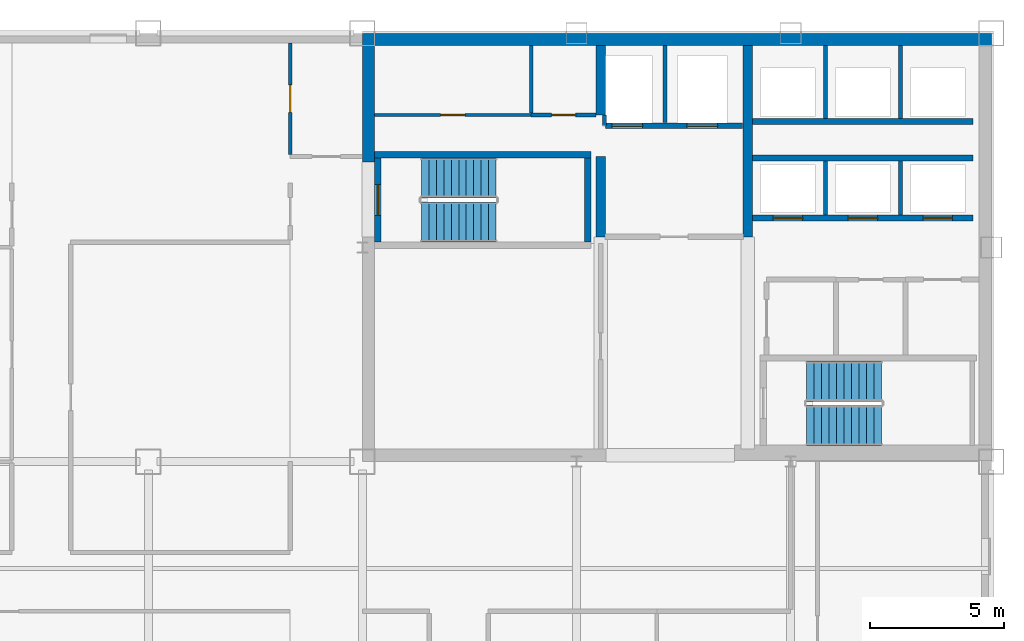
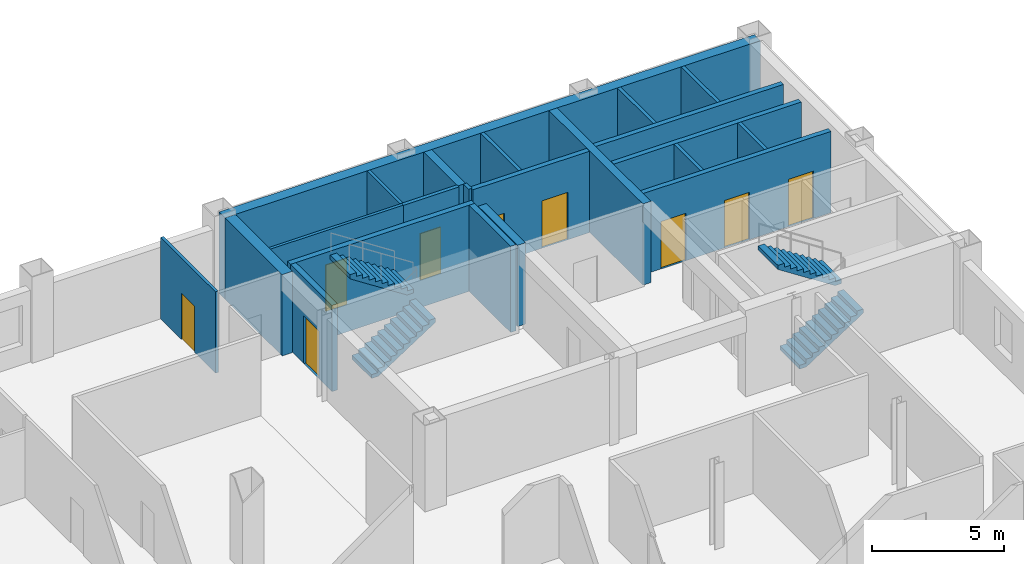
# One storey, part 6 of 10: 22 walls, 9 doors, 4 stair flights, 9 openings, 2 elements without a shape of their own.
"""IFC4 building model written with IfcOpenShell, lengths in metres."""

from ifc_helpers import new_model, si_unit, direction, frame, frame_2d, origin, place, context, subcontext, project, spatial, polyline, rectangle, outline, extrude, material, layer, layer_set, type_object, element, fill, aggregate, save


model = new_model("IFC4")

# Units and contexts
model_context = context("Model", 3, precision=1e-05, world=origin(), true_north=direction((0.0, 1.0)))
body_context = subcontext(model_context, "Body", "Model", "MODEL_VIEW")
ifc_project = project(units=[si_unit("LENGTHUNIT", "METRE"), si_unit("AREAUNIT", "SQUARE_METRE"), si_unit("VOLUMEUNIT", "CUBIC_METRE"), si_unit("PLANEANGLEUNIT", "RADIAN"), si_unit("MASSUNIT", "GRAM", prefix="KILO")], contexts=[model_context])

# Site, building, storey
site_placement = place(None, origin())
site = spatial("IfcSite", under=ifc_project, at=site_placement, CompositionType="ELEMENT")
building_placement = place(site_placement, origin())
building = spatial("IfcBuilding", under=site, at=building_placement, Name="Qianrong Seaharbour Tower", CompositionType="ELEMENT")
storey_placement = place(building_placement, frame((0.0, 0.0, 241.800048828125)))
storey = spatial("IfcBuildingStorey", under=building, at=storey_placement, Name="L58", CompositionType="ELEMENT", Elevation=241.800048828125)

# Walls
ifc_material_1 = material(Name="Concrete C60/75", Category="concrete")
ifc_layer_1 = layer(ifc_material_1, 0.4599609375)
ifc_layer_set_1 = layer_set([ifc_layer_1], Name="Concrete C60/75")
wall_type_1 = type_object("IfcWallType", Name="WALL-CORE-460", PredefinedType="SHEAR", material=ifc_layer_set_1)
wall_1_placement = place(storey_placement, frame((40.5, 51.77001953125, 0.0), z_axis=(0.0, 0.0, 1.0), x_axis=(1.0, 0.0, 0.0)))
element("IfcWall", 1, at=wall_1_placement, inside=storey, type_object=wall_type_1, Name="L58 North Core Shear Wall", PredefinedType="SHEAR", context=body_context, shape_type="SweptSolid", body=[
    extrude(rectangle(XDim=23.5, YDim=0.4599609375, at=frame_2d((11.75, 0.0))), origin(), (0.0, 0.0, 1.0), 3.77490234375),
])
wall_2_placement = place(storey_placement, frame((40.72998046875, 47.199951171875, 0.0), z_axis=(0.0, 0.0, 1.0), x_axis=(0.0, 1.0, 0.0)))
element("IfcWall", 2, at=wall_2_placement, inside=storey, type_object=wall_type_1, Name="L58 West Core Shear Wall North", PredefinedType="SHEAR", context=body_context, shape_type="SweptSolid", body=[
    extrude(rectangle(XDim=4.340087890625, YDim=0.4599609375, at=frame_2d((2.169921875, 0.0))), origin(), (0.0, 0.0, 1.0), 3.77490234375),
])
ifc_material_2 = material(Name="Concrete C50/60", Category="concrete")
ifc_layer_2 = layer(ifc_material_2, 0.35009765625)
ifc_layer_set_2 = layer_set([ifc_layer_2], Name="Concrete C50/60")
wall_type_2 = type_object("IfcWallType", Name="WALL-CORE-INT-350", PredefinedType="SHEAR", material=ifc_layer_set_2)
wall_3_placement = place(storey_placement, frame((49.39990234375, 44.39990234375, 0.0), z_axis=(0.0, 0.0, 1.0), x_axis=(0.0, 1.0, 0.0)))
element("IfcWall", 3, at=wall_3_placement, inside=storey, type_object=wall_type_2, Name="L58 Internal Core Shear Wall IW1N1", PredefinedType="SHEAR", context=body_context, shape_type="SweptSolid", body=[
    extrude(rectangle(XDim=3.0, YDim=0.35009765625, at=frame_2d((1.5, 0.0))), origin(), (0.0, 0.0, 1.0), 3.77490234375),
])
wall_4_placement = place(storey_placement, frame((49.39990234375, 48.949951171875, 0.0), z_axis=(0.0, 0.0, 1.0), x_axis=(0.0, 1.0, 0.0)))
element("IfcWall", 4, at=wall_4_placement, inside=storey, type_object=wall_type_2, Name="L58 Internal Core Shear Wall IW1N2", PredefinedType="SHEAR", context=body_context, shape_type="SweptSolid", body=[
    extrude(rectangle(XDim=2.590087890625, YDim=0.35009765625, at=frame_2d((1.294921875, 0.0))), origin(), (0.0, 0.0, 1.0), 3.77490234375),
])
wall_5_placement = place(storey_placement, frame((54.89990234375, 44.39990234375, 0.0), z_axis=(0.0, 0.0, 1.0), x_axis=(0.0, 1.0, 0.0)))
element("IfcWall", 5, at=wall_5_placement, inside=storey, type_object=wall_type_2, Name="L58 Internal Core Shear Wall IW2N", PredefinedType="SHEAR", context=body_context, shape_type="SweptSolid", body=[
    extrude(rectangle(XDim=7.14013671875, YDim=0.35009765625, at=frame_2d((3.570068359375, 0.0))), origin(), (0.0, 0.0, 1.0), 3.77490234375),
])

# Wall, opening, door
ifc_material_3 = material(Name="Fire-rated acoustic gypsum board partition")
ifc_layer_3 = layer(ifc_material_3, 0.1650390625)
ifc_layer_set_3 = layer_set([ifc_layer_3], Name="Fire-rated acoustic gypsum board partition")
wall_type_3 = type_object("IfcWallType", Name="WALL-CORR-PART-165", PredefinedType="PARTITIONING", material=ifc_layer_set_3)
wall_6_placement = place(storey_placement, frame((46.800048828125, 48.949951171875, 0.0), z_axis=(0.0, 0.0, 1.0), x_axis=(1.0, 0.0, 0.0)))
wall_6 = element("IfcWall", 6, at=wall_6_placement, inside=storey, type_object=wall_type_3, Name="L58 Interior Partition Wall 005", PredefinedType="PARTITIONING", context=body_context, shape_type="SweptSolid", body=[
    extrude(rectangle(XDim=2.432861328125, YDim=0.1650390625, at=frame_2d((1.21630859375, 0.0))), origin(), (0.0, 0.0, 1.0), 3.77490234375),
])
opening_1_placement = place(wall_6_placement, frame((0.7666015625, 0.0, 0.0)))
opening_1 = element("IfcOpeningElement", 7, at=opening_1_placement, cuts=wall_6, Name="Opening DS-01", PredefinedType="OPENING", context=body_context, shape_type="SweptSolid", body=[
    extrude(rectangle(XDim=0.89990234375, YDim=2.14990234375, at=frame_2d((0.449951171875, 1.074951171875))), frame((0.0, 0.092529296875, 0.0), z_axis=(0.0, -1.0, 0.0), x_axis=(1.0, 0.0, 0.0)), (0.0, 0.0, 1.0), 0.18505859375),
])
ifc_material_4 = material(Name="Acoustic timber and galvanized steel fire door assembly", Category="steel")
door_type_1 = type_object("IfcDoorType", Name="DOOR-STORE-900x2150", OperationType="NOTDEFINED", PredefinedType="DOOR", material=ifc_material_4)
door_1_placement = place(opening_1_placement, origin())
door_1 = element("IfcDoor", 8, at=door_1_placement, inside=storey, type_object=door_type_1, Name="L58 Janitor Store Room Door", OperationType="SINGLE_SWING_LEFT", OverallHeight=2.14990234375, OverallWidth=0.89990234375, PredefinedType="DOOR", context=body_context, shape_type="SweptSolid", body=[
    extrude(rectangle(XDim=0.89990234375, YDim=2.14990234375, at=frame_2d((0.449951171875, 1.074951171875))), frame((0.0, 0.02490234375, 0.0), z_axis=(0.0, -1.0, 0.0), x_axis=(1.0, 0.0, 0.0)), (0.0, 0.0, 1.0), 0.050048828125),
])
fill(opening_1, door_1)

# Walls
ifc_material_5 = material(Name="Fire-rated gypsum board on steel studs", Category="steel")
ifc_layer_4 = layer(ifc_material_5, 0.14990234375)
ifc_layer_set_4 = layer_set([ifc_layer_4], Name="Fire-rated gypsum board on steel studs")
wall_type_4 = type_object("IfcWallType", Name="WALL-SHAFT-DIV-150", PredefinedType="PARTITIONING", material=ifc_layer_set_4)
wall_7_placement = place(storey_placement, frame((51.800048828125, 48.669921875, 0.0), z_axis=(0.0, 0.0, 1.0), x_axis=(0.0, 1.0, 0.0)))
element("IfcWall", 9, at=wall_7_placement, inside=storey, type_object=wall_type_4, Name="L58 Firefighting Lift Shaft Divider Wall", PredefinedType="PARTITIONING", context=body_context, shape_type="SweptSolid", body=[
    extrude(rectangle(XDim=2.8701171875, YDim=0.14990234375, at=frame_2d((1.43505859375, 0.0))), origin(), (0.0, 0.0, 1.0), 3.77490234375),
])
wall_8_placement = place(storey_placement, frame((49.550048828125, 48.550048828125, 0.0), z_axis=(0.0, 0.0, 1.0), x_axis=(0.0, 1.0, 0.0)))
element("IfcWall", 10, at=wall_8_placement, inside=storey, type_object=wall_type_4, Name="L58 Firefighting Lift Shaft West Return Wall", PredefinedType="PARTITIONING", context=body_context, shape_type="SweptSolid", body=[
    extrude(rectangle(XDim=0.39990234375, YDim=0.14990234375, at=frame_2d((0.199951171875, 0.0))), origin(), (0.0, 0.0, 1.0), 3.77490234375),
])
for number, where, z_axis, x_axis, name in (
    (11, (57.800048828125, 45.2099609375, 0.0), (0.0, 0.0, 1.0), (0.0, 1.0, 0.0), "L58 P3 Lift Hoistway Divider 2"),
    (12, (60.60009765625, 45.2099609375, 0.0), (0.0, 0.0, 1.0), (0.0, 1.0, 0.0), "L58 P3 Lift Hoistway Divider 3"),
):
    element("IfcWall", number, at=place(storey_placement, frame(where, z_axis=z_axis, x_axis=x_axis)), inside=storey, type_object=wall_type_4, Name=name, PredefinedType="PARTITIONING", context=body_context, shape_type="SweptSolid", body=[
        extrude(rectangle(XDim=2.030029296875, YDim=0.14990234375, at=frame_2d((1.01513671875, 0.0))), origin(), (0.0, 0.0, 1.0), 3.77490234375),
    ])
for number, where, z_axis, x_axis, name in (
    (13, (57.800048828125, 48.81005859375, 0.0), (0.0, 0.0, 1.0), (0.0, 1.0, 0.0), "L58 P4 Lift Hoistway Divider 2"),
    (14, (60.60009765625, 48.81005859375, 0.0), (0.0, 0.0, 1.0), (0.0, 1.0, 0.0), "L58 P4 Lift Hoistway Divider 3"),
):
    element("IfcWall", number, at=place(storey_placement, frame(where, z_axis=z_axis, x_axis=x_axis)), inside=storey, type_object=wall_type_4, Name=name, PredefinedType="PARTITIONING", context=body_context, shape_type="SweptSolid", body=[
        extrude(rectangle(XDim=2.72998046875, YDim=0.14990234375, at=frame_2d((1.364990234375, 0.0))), origin(), (0.0, 0.0, 1.0), 3.77490234375),
    ])

# Wall, openings, doors
ifc_layer_5 = layer(ifc_material_5, 0.219970703125)
ifc_layer_set_5 = layer_set([ifc_layer_5], Name="Fire-rated gypsum board on steel studs")
wall_type_5 = type_object("IfcWallType", Name="WALL-SHAFT-GYP220", PredefinedType="PARTITIONING", material=ifc_layer_set_5)
wall_9_placement = place(storey_placement, frame((54.7099609375, 48.550048828125, 0.0), z_axis=(0.0, 0.0, 1.0), x_axis=(-1.0, 0.0, 0.0)))
wall_9 = element("IfcWall", 15, at=wall_9_placement, inside=storey, type_object=wall_type_5, Name="L58 Firefighting Lift Shaft Front Wall", PredefinedType="PARTITIONING", context=body_context, shape_type="SweptSolid", body=[
    extrude(rectangle(XDim=5.119873046875, YDim=0.219970703125, at=frame_2d((2.56005859375, 0.0))), origin(), (0.0, 0.0, 1.0), 3.77490234375),
])
opening_2_placement = place(wall_9_placement, frame((3.735107421875, 0.0, 0.0)))
opening_2 = element("IfcOpeningElement", 16, at=opening_2_placement, cuts=wall_9, Name="Opening LD-01", PredefinedType="OPENING", context=body_context, shape_type="SweptSolid", body=[
    extrude(rectangle(XDim=1.14990234375, YDim=2.199951171875, at=frame_2d((0.574951171875, 1.10009765625))), frame((0.0, 0.1201171875, 0.0), z_axis=(0.0, -1.0, 0.0), x_axis=(1.0, 0.0, 0.0)), (0.0, 0.0, 1.0), 0.239990234375),
])
opening_3_placement = place(wall_9_placement, frame((0.93505859375, 0.0, 0.0)))
opening_3 = element("IfcOpeningElement", 17, at=opening_3_placement, cuts=wall_9, Name="Opening LD-01", PredefinedType="OPENING", context=body_context, shape_type="SweptSolid", body=[
    extrude(rectangle(XDim=1.14990234375, YDim=2.199951171875, at=frame_2d((0.574951171875, 1.10009765625))), frame((0.0, 0.1201171875, 0.0), z_axis=(0.0, -1.0, 0.0), x_axis=(1.0, 0.0, 0.0)), (0.0, 0.0, 1.0), 0.239990234375),
])
ifc_material_6 = material(Name="Stainless steel SUS316L bi-parting lift landing door", Category="steel")
door_type_2 = type_object("IfcDoorType", Name="DOOR-LIFT-FF-1150x2200", OperationType="DOUBLE_DOOR_SLIDING", PredefinedType="DOOR", material=ifc_material_6)
door_2_placement = place(opening_2_placement, origin())
door_2 = element("IfcDoor", 18, at=door_2_placement, inside=storey, type_object=door_type_2, Name="L58 FL-1 Firefighting Lift Landing Door", OperationType="DOUBLE_DOOR_SLIDING", OverallHeight=2.199951171875, OverallWidth=1.14990234375, PredefinedType="DOOR", context=body_context, shape_type="SweptSolid", body=[
    extrude(rectangle(XDim=1.14990234375, YDim=2.199951171875, at=frame_2d((0.574951171875, 1.10009765625))), frame((0.0, 0.02490234375, 0.0), z_axis=(0.0, -1.0, 0.0), x_axis=(1.0, 0.0, 0.0)), (0.0, 0.0, 1.0), 0.050048828125),
])
fill(opening_2, door_2)
door_3_placement = place(opening_3_placement, origin())
door_3 = element("IfcDoor", 19, at=door_3_placement, inside=storey, type_object=door_type_2, Name="L58 FL-2 Firefighting Lift Landing Door", OperationType="DOUBLE_DOOR_SLIDING", OverallHeight=2.199951171875, OverallWidth=1.14990234375, PredefinedType="DOOR", context=body_context, shape_type="SweptSolid", body=[
    extrude(rectangle(XDim=1.14990234375, YDim=2.199951171875, at=frame_2d((0.574951171875, 1.10009765625))), frame((0.0, 0.02490234375, 0.0), z_axis=(0.0, -1.0, 0.0), x_axis=(1.0, 0.0, 0.0)), (0.0, 0.0, 1.0), 0.050048828125),
])
fill(opening_3, door_3)

wall_10_placement = place(storey_placement, frame((63.320068359375, 45.10009765625, 0.0), z_axis=(0.0, 0.0, 1.0), x_axis=(-1.0, 0.0, 0.0)))
wall_10 = element("IfcWall", 20, at=wall_10_placement, inside=storey, type_object=wall_type_5, Name="L58 P3 Lift Hoistway Front Wall", PredefinedType="PARTITIONING", context=body_context, shape_type="SweptSolid", body=[
    extrude(rectangle(XDim=8.239990234375, YDim=0.219970703125, at=frame_2d((4.1201171875, 0.0))), origin(), (0.0, 0.0, 1.0), 3.77490234375),
])
opening_4_placement = place(wall_10_placement, frame((6.3701171875, 0.0, 0.0)))
opening_4 = element("IfcOpeningElement", 21, at=opening_4_placement, cuts=wall_10, Name="Opening LD-02", PredefinedType="OPENING", context=body_context, shape_type="SweptSolid", body=[
    extrude(rectangle(XDim=1.10009765625, YDim=2.199951171875, at=frame_2d((0.550048828125, 1.10009765625))), frame((0.0, 0.1201171875, 0.0), z_axis=(0.0, -1.0, 0.0), x_axis=(1.0, 0.0, 0.0)), (0.0, 0.0, 1.0), 0.239990234375),
])
opening_5_placement = place(wall_10_placement, frame((3.570068359375, 0.0, 0.0)))
opening_5 = element("IfcOpeningElement", 22, at=opening_5_placement, cuts=wall_10, Name="Opening LD-02", PredefinedType="OPENING", context=body_context, shape_type="SweptSolid", body=[
    extrude(rectangle(XDim=1.10009765625, YDim=2.199951171875, at=frame_2d((0.550048828125, 1.10009765625))), frame((0.0, 0.1201171875, 0.0), z_axis=(0.0, -1.0, 0.0), x_axis=(1.0, 0.0, 0.0)), (0.0, 0.0, 1.0), 0.239990234375),
])
opening_6_placement = place(wall_10_placement, frame((0.77001953125, 0.0, 0.0)))
opening_6 = element("IfcOpeningElement", 23, at=opening_6_placement, cuts=wall_10, Name="Opening LD-02", PredefinedType="OPENING", context=body_context, shape_type="SweptSolid", body=[
    extrude(rectangle(XDim=1.10009765625, YDim=2.199951171875, at=frame_2d((0.550048828125, 1.10009765625))), frame((0.0, 0.1201171875, 0.0), z_axis=(0.0, -1.0, 0.0), x_axis=(1.0, 0.0, 0.0)), (0.0, 0.0, 1.0), 0.239990234375),
])
door_type_3 = type_object("IfcDoorType", Name="DOOR-LIFT-PASS-1100x2200", OperationType="DOUBLE_DOOR_SLIDING", PredefinedType="DOOR", material=ifc_material_6)
door_4_placement = place(opening_4_placement, origin())
door_4 = element("IfcDoor", 24, at=door_4_placement, inside=storey, type_object=door_type_3, Name="L58 PL-3A Lift Landing Door", OperationType="DOUBLE_DOOR_SLIDING", OverallHeight=2.199951171875, OverallWidth=1.10009765625, PredefinedType="DOOR", context=body_context, shape_type="SweptSolid", body=[
    extrude(rectangle(XDim=1.10009765625, YDim=2.199951171875, at=frame_2d((0.550048828125, 1.10009765625))), frame((0.0, 0.02490234375, 0.0), z_axis=(0.0, -1.0, 0.0), x_axis=(1.0, 0.0, 0.0)), (0.0, 0.0, 1.0), 0.050048828125),
])
fill(opening_4, door_4)
door_5_placement = place(opening_5_placement, origin())
door_5 = element("IfcDoor", 25, at=door_5_placement, inside=storey, type_object=door_type_3, Name="L58 PL-3B Lift Landing Door", OperationType="DOUBLE_DOOR_SLIDING", OverallHeight=2.199951171875, OverallWidth=1.10009765625, PredefinedType="DOOR", context=body_context, shape_type="SweptSolid", body=[
    extrude(rectangle(XDim=1.10009765625, YDim=2.199951171875, at=frame_2d((0.550048828125, 1.10009765625))), frame((0.0, 0.02490234375, 0.0), z_axis=(0.0, -1.0, 0.0), x_axis=(1.0, 0.0, 0.0)), (0.0, 0.0, 1.0), 0.050048828125),
])
fill(opening_5, door_5)
door_6_placement = place(opening_6_placement, origin())
door_6 = element("IfcDoor", 26, at=door_6_placement, inside=storey, type_object=door_type_3, Name="L58 PL-3C Lift Landing Door", OperationType="DOUBLE_DOOR_SLIDING", OverallHeight=2.199951171875, OverallWidth=1.10009765625, PredefinedType="DOOR", context=body_context, shape_type="SweptSolid", body=[
    extrude(rectangle(XDim=1.10009765625, YDim=2.199951171875, at=frame_2d((0.550048828125, 1.10009765625))), frame((0.0, 0.02490234375, 0.0), z_axis=(0.0, -1.0, 0.0), x_axis=(1.0, 0.0, 0.0)), (0.0, 0.0, 1.0), 0.050048828125),
])
fill(opening_6, door_6)

# Walls
for number, where, z_axis, x_axis, name in (
    (27, (55.080078125, 47.35009765625, 0.0), (0.0, 0.0, 1.0), (1.0, 0.0, 0.0), "L58 P3 Lift Hoistway Back Wall"),
    (28, (63.320068359375, 48.699951171875, 0.0), (0.0, 0.0, 1.0), (-1.0, 0.0, 0.0), "L58 P4 Lift Hoistway Front Wall"),
):
    element("IfcWall", number, at=place(storey_placement, frame(where, z_axis=z_axis, x_axis=x_axis)), inside=storey, type_object=wall_type_5, Name=name, PredefinedType="PARTITIONING", context=body_context, shape_type="SweptSolid", body=[
        extrude(rectangle(XDim=8.239990234375, YDim=0.219970703125, at=frame_2d((4.1201171875, 0.0))), origin(), (0.0, 0.0, 1.0), 3.77490234375),
    ])
ifc_layer_6 = layer(ifc_material_2, 0.239990234375)
ifc_layer_set_6 = layer_set([ifc_layer_6], Name="Concrete C50/60")
wall_type_6 = type_object("IfcWallType", Name="WALL-SHAFT-RC240", PredefinedType="SOLIDWALL", material=ifc_layer_set_6)
wall_11_placement = place(storey_placement, frame((40.9599609375, 47.469970703125, 0.0), z_axis=(0.0, 0.0, 1.0), x_axis=(1.0, 0.0, 0.0)))
element("IfcWall", 29, at=wall_11_placement, inside=storey, type_object=wall_type_6, Name="L58 ST-1 Structural Stair Core Wall N", PredefinedType="SOLIDWALL", context=body_context, shape_type="SweptSolid", body=[
    extrude(rectangle(XDim=8.080078125, YDim=0.239990234375, at=frame_2d((4.0400390625, 0.0))), origin(), (0.0, 0.0, 1.0), 4.0),
])

# Wall, opening, door
wall_12_placement = place(storey_placement, frame((41.080078125, 47.35009765625, 0.0), z_axis=(0.0, 0.0, 1.0), x_axis=(0.0, -1.0, 0.0)))
wall_12 = element("IfcWall", 30, at=wall_12_placement, inside=storey, type_object=wall_type_6, Name="L58 ST-1 Structural Stair Core Wall W", PredefinedType="SOLIDWALL", context=body_context, shape_type="SweptSolid", body=[
    extrude(rectangle(XDim=3.150146484375, YDim=0.239990234375, at=frame_2d((1.5751953125, 0.0))), origin(), (0.0, 0.0, 1.0), 4.0),
])
opening_7_placement = place(wall_12_placement, frame((1.0, 0.0, 0.0)))
opening_7 = element("IfcOpeningElement", 31, at=opening_7_placement, cuts=wall_12, Name="Opening SD-01", PredefinedType="OPENING", context=body_context, shape_type="SweptSolid", body=[
    extrude(rectangle(XDim=1.14990234375, YDim=2.199951171875, at=frame_2d((0.574951171875, 1.10009765625))), frame((0.0, 0.1298828125, 0.0), z_axis=(0.0, -1.0, 0.0), x_axis=(1.0, 0.0, 0.0)), (0.0, 0.0, 1.0), 0.260009765625),
])
door_type_4 = type_object("IfcDoorType", Name="DOOR-STAIR-FD60-1150x2200", OperationType="NOTDEFINED", PredefinedType="DOOR", material=ifc_material_4)
door_7_placement = place(opening_7_placement, origin())
door_7 = element("IfcDoor", 32, at=door_7_placement, inside=storey, type_object=door_type_4, Name="L58 ST-1 Protected Stair Door", OperationType="SINGLE_SWING_LEFT", OverallHeight=2.199951171875, OverallWidth=1.14990234375, PredefinedType="DOOR", context=body_context, shape_type="SweptSolid", body=[
    extrude(rectangle(XDim=1.14990234375, YDim=2.199951171875, at=frame_2d((0.574951171875, 1.10009765625))), frame((0.0, 0.02490234375, 0.0), z_axis=(0.0, -1.0, 0.0), x_axis=(1.0, 0.0, 0.0)), (0.0, 0.0, 1.0), 0.050048828125),
])
fill(opening_7, door_7)

# Wall
wall_13_placement = place(storey_placement, frame((48.919921875, 44.199951171875, 0.0), z_axis=(0.0, 0.0, 1.0), x_axis=(0.0, 1.0, 0.0)))
element("IfcWall", 33, at=wall_13_placement, inside=storey, type_object=wall_type_6, Name="L58 ST-1 Structural Stair Core Wall E", PredefinedType="SOLIDWALL", context=body_context, shape_type="SweptSolid", body=[
    extrude(rectangle(XDim=3.150146484375, YDim=0.239990234375, at=frame_2d((1.5751953125, 0.0))), origin(), (0.0, 0.0, 1.0), 4.0),
])

# Wall, opening, door
ifc_material_7 = material(Name="Water-resistant cement board sanitary partition")
ifc_layer_7 = layer(ifc_material_7, 0.1298828125)
ifc_layer_set_7 = layer_set([ifc_layer_7], Name="Water-resistant cement board sanitary partition")
wall_type_7 = type_object("IfcWallType", Name="WALL-WET-PART-130", PredefinedType="PARTITIONING", material=ifc_layer_set_7)
wall_14_placement = place(storey_placement, frame((37.800048828125, 47.474609375, 0.0), z_axis=(0.0, 0.0, 1.0), x_axis=(0.0, 1.0, 0.0)))
wall_14 = element("IfcWall", 34, at=wall_14_placement, inside=storey, type_object=wall_type_7, Name="L58 Interior Partition Wall 003", PredefinedType="PARTITIONING", context=body_context, shape_type="SweptSolid", body=[
    extrude(rectangle(XDim=4.17333984375, YDim=0.1298828125, at=frame_2d((2.086669921875, 0.0))), origin(), (0.0, 0.0, 1.0), 3.77490234375),
])
opening_8_placement = place(wall_14_placement, frame((1.57666015625, 0.0, 0.0)))
opening_8 = element("IfcOpeningElement", 35, at=opening_8_placement, cuts=wall_14, Name="Opening DAW-01", PredefinedType="OPENING", context=body_context, shape_type="SweptSolid", body=[
    extrude(rectangle(XDim=1.02001953125, YDim=2.14990234375, at=frame_2d((0.510009765625, 1.074951171875))), frame((0.0, 0.074951171875, 0.0), z_axis=(0.0, -1.0, 0.0), x_axis=(1.0, 0.0, 0.0)), (0.0, 0.0, 1.0), 0.14990234375),
])
door_type_5 = type_object("IfcDoorType", Name="DOOR-AWC-SLIDE-1020x2150", OperationType="SLIDING_TO_LEFT", PredefinedType="DOOR", material=ifc_material_4)
door_8_placement = place(opening_8_placement, origin())
door_8 = element("IfcDoor", 36, at=door_8_placement, inside=storey, type_object=door_type_5, Name="L58 Accessible Restroom WC Door", OperationType="SLIDING_TO_LEFT", OverallHeight=2.14990234375, OverallWidth=1.02001953125, PredefinedType="DOOR", context=body_context, shape_type="SweptSolid", body=[
    extrude(rectangle(XDim=1.02001953125, YDim=2.14990234375, at=frame_2d((0.510009765625, 1.074951171875))), frame((0.0, 0.02490234375, 0.0), z_axis=(0.0, -1.0, 0.0), x_axis=(1.0, 0.0, 0.0)), (0.0, 0.0, 1.0), 0.050048828125),
])
fill(opening_8, door_8)

wall_15_placement = place(storey_placement, frame((40.9599609375, 48.949951171875, 0.0), z_axis=(0.0, 0.0, 1.0), x_axis=(1.0, 0.0, 0.0)))
wall_15 = element("IfcWall", 37, at=wall_15_placement, inside=storey, type_object=wall_type_7, Name="L58 Interior Partition Wall 004", PredefinedType="PARTITIONING", context=body_context, shape_type="SweptSolid", body=[
    extrude(rectangle(XDim=5.840087890625, YDim=0.1298828125, at=frame_2d((2.919921875, 0.0))), origin(), (0.0, 0.0, 1.0), 3.77490234375),
])
opening_9_placement = place(wall_15_placement, frame((2.4599609375, 0.0, 0.0)))
opening_9 = element("IfcOpeningElement", 38, at=opening_9_placement, cuts=wall_15, Name="Opening DW-01", PredefinedType="OPENING", context=body_context, shape_type="SweptSolid", body=[
    extrude(rectangle(XDim=0.919921875, YDim=2.14990234375, at=frame_2d((0.4599609375, 1.074951171875))), frame((0.0, 0.074951171875, 0.0), z_axis=(0.0, -1.0, 0.0), x_axis=(1.0, 0.0, 0.0)), (0.0, 0.0, 1.0), 0.14990234375),
])
door_type_6 = type_object("IfcDoorType", Name="DOOR-WC-920x2150", OperationType="NOTDEFINED", PredefinedType="DOOR", material=ifc_material_4)
door_9_placement = place(opening_9_placement, origin())
door_9 = element("IfcDoor", 39, at=door_9_placement, inside=storey, type_object=door_type_6, Name="L58 Restroom WC Suite Door", OperationType="SINGLE_SWING_RIGHT", OverallHeight=2.14990234375, OverallWidth=0.919921875, PredefinedType="DOOR", context=body_context, shape_type="SweptSolid", body=[
    extrude(rectangle(XDim=0.919921875, YDim=2.14990234375, at=frame_2d((0.4599609375, 1.074951171875))), frame((0.0, 0.02490234375, 0.0), z_axis=(0.0, -1.0, 0.0), x_axis=(1.0, 0.0, 0.0)), (0.0, 0.0, 1.0), 0.050048828125),
])
fill(opening_9, door_9)

# Wall
wall_16_placement = place(storey_placement, frame((46.800048828125, 51.5400390625, 0.0), z_axis=(0.0, 0.0, 1.0), x_axis=(0.0, -1.0, 0.0)))
element("IfcWall", 40, at=wall_16_placement, inside=storey, type_object=wall_type_7, Name="L58 Interior Partition Wall 012", PredefinedType="PARTITIONING", context=body_context, shape_type="SweptSolid", body=[
    extrude(rectangle(XDim=2.515625, YDim=0.1298828125, at=frame_2d((1.2578125, 0.0))), origin(), (0.0, 0.0, 1.0), 3.77490234375),
])

# Stair, stair flights
stair_type = type_object("IfcStairType", Name="STAIR-DOGLEG-1500-R22", PredefinedType="HALF_TURN_STAIR", material=ifc_material_2)
stair_1_placement = place(storey_placement, origin())
stair_1 = element("IfcStair", 41, at=stair_1_placement, inside=storey, type_object=stair_type, Name="L58 Protected Escape Stair ST-1", PredefinedType="HALF_TURN_STAIR")
stair_flight_type = type_object("IfcStairFlightType", Name="FLIGHT-STR-1500-R22", PredefinedType="STRAIGHT", material=ifc_material_2)
stair_flight_1_placement = place(storey_placement, frame((42.699951171875, 44.949951171875, 0.0), z_axis=(0.0, 0.0, 1.0), x_axis=(1.0, 0.0, 0.0)))
stair_flight_1 = element("IfcStairFlight", 42, at=stair_flight_1_placement, type_object=stair_flight_type, Name="ST-1 flight 1", NumberOfRisers=11, NumberOfTreads=10, PredefinedType="STRAIGHT", RiserHeight=0.181818182, TreadLength=0.28, context=body_context, shape_type="SweptSolid", body=[
    extrude(outline(polyline([(0.0, 0.0), (0.0, 0.181884765625), (0.280029296875, 0.181884765625), (0.280029296875, 0.363525390625), (0.56005859375, 0.363525390625), (0.56005859375, 0.54541015625), (0.840087890625, 0.54541015625), (0.840087890625, 0.727294921875), (1.1201171875, 0.727294921875), (1.1201171875, 0.9091796875), (1.39990234375, 0.9091796875), (1.39990234375, 1.0908203125), (1.679931640625, 1.0908203125), (1.679931640625, 1.272705078125), (1.9599609375, 1.272705078125), (1.9599609375, 1.45458984375), (2.239990234375, 1.45458984375), (2.239990234375, 1.636474609375), (2.52001953125, 1.636474609375), (2.52001953125, 1.818115234375), (2.800048828125, 1.818115234375), (2.800048828125, 2.0), (2.800048828125, 1.62744140625), (0.293701171875, 0.0), (0.0, 0.0)])), frame((0.0, 0.75, 0.0), z_axis=(0.0, -1.0, 0.0), x_axis=(1.0, 0.0, 0.0)), (0.0, 0.0, 1.0), 1.5),
])
stair_flight_2_placement = place(storey_placement, frame((45.5, 46.60009765625, 2.0), z_axis=(0.0, 0.0, 1.0), x_axis=(-1.0, 0.0, 0.0)))
stair_flight_2 = element("IfcStairFlight", 43, at=stair_flight_2_placement, type_object=stair_flight_type, Name="ST-1 flight 2", NumberOfRisers=11, NumberOfTreads=10, PredefinedType="STRAIGHT", RiserHeight=0.181818182, TreadLength=0.28, context=body_context, shape_type="SweptSolid", body=[
    extrude(outline(polyline([(0.0, 0.0), (0.0, 0.181884765625), (0.280029296875, 0.181884765625), (0.280029296875, 0.363525390625), (0.56005859375, 0.363525390625), (0.56005859375, 0.54541015625), (0.840087890625, 0.54541015625), (0.840087890625, 0.727294921875), (1.1201171875, 0.727294921875), (1.1201171875, 0.9091796875), (1.39990234375, 0.9091796875), (1.39990234375, 1.0908203125), (1.679931640625, 1.0908203125), (1.679931640625, 1.272705078125), (1.9599609375, 1.272705078125), (1.9599609375, 1.45458984375), (2.239990234375, 1.45458984375), (2.239990234375, 1.636474609375), (2.52001953125, 1.636474609375), (2.52001953125, 1.818115234375), (2.800048828125, 1.818115234375), (2.800048828125, 2.0), (2.800048828125, 1.62744140625), (0.293701171875, 0.0), (0.0, 0.0)])), frame((0.0, 0.75, 0.0), z_axis=(0.0, -1.0, 0.0), x_axis=(1.0, 0.0, 0.0)), (0.0, 0.0, 1.0), 1.5),
])
aggregate(stair_1, [stair_flight_1, stair_flight_2])

stair_2_placement = place(storey_placement, origin())
stair_2 = element("IfcStair", 44, at=stair_2_placement, inside=storey, type_object=stair_type, Name="L58 Protected Escape Stair ST-2", PredefinedType="HALF_TURN_STAIR")
stair_flight_3_placement = place(storey_placement, frame((57.10009765625, 37.35009765625, 0.0), z_axis=(0.0, 0.0, 1.0), x_axis=(1.0, 0.0, 0.0)))
stair_flight_3 = element("IfcStairFlight", 45, at=stair_flight_3_placement, type_object=stair_flight_type, Name="ST-2 flight 1", NumberOfRisers=11, NumberOfTreads=10, PredefinedType="STRAIGHT", RiserHeight=0.181818182, TreadLength=0.28, context=body_context, shape_type="SweptSolid", body=[
    extrude(outline(polyline([(0.0, 0.0), (0.0, 0.181884765625), (0.280029296875, 0.181884765625), (0.280029296875, 0.363525390625), (0.56005859375, 0.363525390625), (0.56005859375, 0.54541015625), (0.840087890625, 0.54541015625), (0.840087890625, 0.727294921875), (1.1201171875, 0.727294921875), (1.1201171875, 0.9091796875), (1.39990234375, 0.9091796875), (1.39990234375, 1.0908203125), (1.679931640625, 1.0908203125), (1.679931640625, 1.272705078125), (1.9599609375, 1.272705078125), (1.9599609375, 1.45458984375), (2.239990234375, 1.45458984375), (2.239990234375, 1.636474609375), (2.52001953125, 1.636474609375), (2.52001953125, 1.818115234375), (2.800048828125, 1.818115234375), (2.800048828125, 2.0), (2.800048828125, 1.62744140625), (0.293701171875, 0.0), (0.0, 0.0)])), frame((0.0, 0.75, 0.0), z_axis=(0.0, -1.0, 0.0), x_axis=(1.0, 0.0, 0.0)), (0.0, 0.0, 1.0), 1.5),
])
stair_flight_4_placement = place(storey_placement, frame((59.89990234375, 39.0, 2.0), z_axis=(0.0, 0.0, 1.0), x_axis=(-1.0, 0.0, 0.0)))
stair_flight_4 = element("IfcStairFlight", 46, at=stair_flight_4_placement, type_object=stair_flight_type, Name="ST-2 flight 2", NumberOfRisers=11, NumberOfTreads=10, PredefinedType="STRAIGHT", RiserHeight=0.181818182, TreadLength=0.28, context=body_context, shape_type="SweptSolid", body=[
    extrude(outline(polyline([(0.0, 0.0), (0.0, 0.181884765625), (0.280029296875, 0.181884765625), (0.280029296875, 0.363525390625), (0.56005859375, 0.363525390625), (0.56005859375, 0.54541015625), (0.840087890625, 0.54541015625), (0.840087890625, 0.727294921875), (1.1201171875, 0.727294921875), (1.1201171875, 0.9091796875), (1.39990234375, 0.9091796875), (1.39990234375, 1.0908203125), (1.679931640625, 1.0908203125), (1.679931640625, 1.272705078125), (1.9599609375, 1.272705078125), (1.9599609375, 1.45458984375), (2.239990234375, 1.45458984375), (2.239990234375, 1.636474609375), (2.52001953125, 1.636474609375), (2.52001953125, 1.818115234375), (2.800048828125, 1.818115234375), (2.800048828125, 2.0), (2.800048828125, 1.62744140625), (0.293701171875, 0.0), (0.0, 0.0)])), frame((0.0, 0.75, 0.0), z_axis=(0.0, -1.0, 0.0), x_axis=(1.0, 0.0, 0.0)), (0.0, 0.0, 1.0), 1.5),
])
aggregate(stair_2, [stair_flight_3, stair_flight_4])

save(model, "model.ifc")
